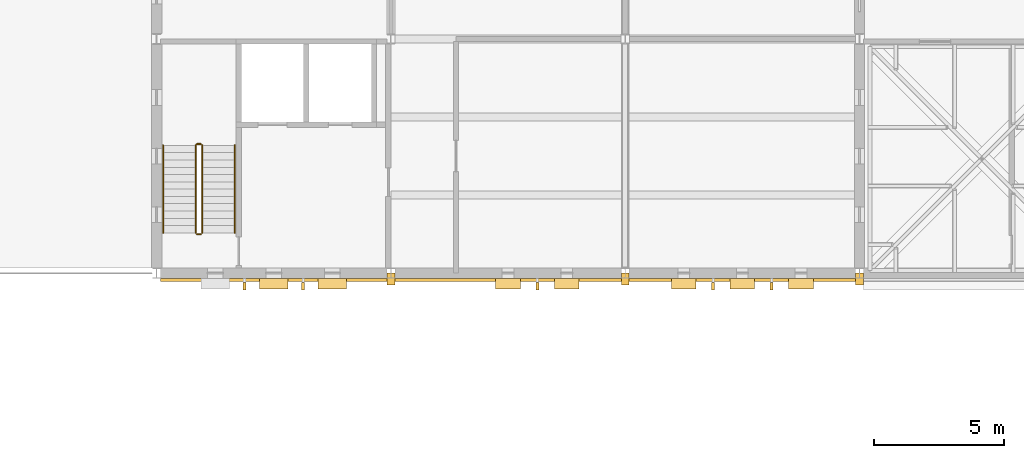
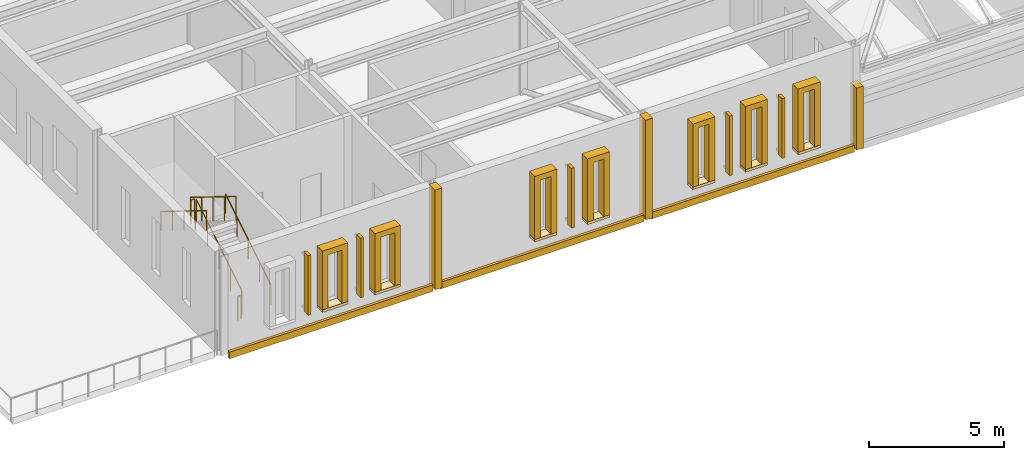
# One storey, part 130 of 149: 20 coverings, 6 railings, 5 shading devices.
"""IFC4 building model written with IfcOpenShell, lengths in metres."""

from ifc_helpers import new_model, si_unit, direction, frame, origin, origin_2d, place, context, subcontext, project, spatial, polyline, rectangle, circle, outline, extrude, material, layer, layer_set, type_object, element, save


model = new_model("IFC4")

# Units and contexts
model_context = context("Model", 3, precision=1e-05, world=origin(), true_north=direction((0.0, 1.0)))
body_context = subcontext(model_context, "Body", "Model", "MODEL_VIEW")
ifc_project = project(units=[si_unit("LENGTHUNIT", "METRE"), si_unit("AREAUNIT", "SQUARE_METRE"), si_unit("VOLUMEUNIT", "CUBIC_METRE"), si_unit("PLANEANGLEUNIT", "RADIAN"), si_unit("MASSUNIT", "GRAM", prefix="KILO")], contexts=[model_context])

# Site, building, storey
site_placement = place(None, origin())
site = spatial("IfcSite", under=ifc_project, at=site_placement, CompositionType="ELEMENT")
building_placement = place(site_placement, origin())
building = spatial("IfcBuilding", under=site, at=building_placement, Name="Kallimachos Central Library", CompositionType="ELEMENT")
storey_placement = place(building_placement, frame((0.0, 0.0, 9.89990234375)))
storey = spatial("IfcBuildingStorey", under=building, at=storey_placement, Name="L02", CompositionType="ELEMENT", Elevation=9.89990234375)

# Railings
ifc_material_1 = material(Name="Steel S355J2", Category="steel")
railing_type_1 = type_object("IfcRailingType", Name="Stair handrail 900", PredefinedType="HANDRAIL", material=ifc_material_1)
railing_1_placement = place(storey_placement, frame((77.5, 19.550048828125, 0.173095703125)))
element("IfcRailing", 1, at=railing_1_placement, inside=storey, type_object=railing_type_1, Name="L02 ST13 stair handrail 1", PredefinedType="HANDRAIL", context=body_context, shape_type="SweptSolid", body=[
    extrude(circle(Radius=0.02392578125, at=origin_2d()), frame((0.0, 0.0, 0.8759765625), z_axis=(0.0, 0.850606129759, 0.525803396734), x_axis=(-1.0, 0.0, 0.0)), (0.0, 0.0, 1.0), 3.949951171875),
    extrude(circle(Radius=0.02099609375, at=origin_2d()), origin(), (0.0, 0.0, 1.0), 0.851806640625),
    extrude(circle(Radius=0.02099609375, at=origin_2d()), frame((0.0, 0.83984375, 0.519287109375)), (0.0, 0.0, 1.0), 0.851806640625),
    extrude(circle(Radius=0.02099609375, at=origin_2d()), frame((0.0, 1.679931640625, 1.03857421875)), (0.0, 0.0, 1.0), 0.851806640625),
    extrude(circle(Radius=0.02099609375, at=origin_2d()), frame((0.0, 2.52001953125, 1.5576171875)), (0.0, 0.0, 1.0), 0.851806640625),
    extrude(circle(Radius=0.02099609375, at=origin_2d()), frame((0.0, 3.35986328125, 2.076904296875)), (0.0, 0.0, 1.0), 0.851806640625),
])
railing_2_placement = place(storey_placement, frame((74.75, 22.909912109375, 2.423095703125)))
element("IfcRailing", 2, at=railing_2_placement, inside=storey, type_object=railing_type_1, Name="L02 ST13 stair handrail 2", PredefinedType="HANDRAIL", context=body_context, shape_type="SweptSolid", body=[
    extrude(circle(Radius=0.02392578125, at=origin_2d()), frame((0.0, 0.0, 0.8759765625), z_axis=(0.0, -0.850606129759, 0.525803396734), x_axis=(1.0, 0.0, 0.0)), (0.0, 0.0, 1.0), 3.949951171875),
    extrude(circle(Radius=0.02099609375, at=origin_2d()), origin(), (0.0, 0.0, 1.0), 0.851806640625),
    extrude(circle(Radius=0.02099609375, at=origin_2d()), frame((0.0, -0.83984375, 0.519287109375)), (0.0, 0.0, 1.0), 0.851806640625),
    extrude(circle(Radius=0.02099609375, at=origin_2d()), frame((0.0, -1.679931640625, 1.03857421875)), (0.0, 0.0, 1.0), 0.851806640625),
    extrude(circle(Radius=0.02099609375, at=origin_2d()), frame((0.0, -2.52001953125, 1.5576171875)), (0.0, 0.0, 1.0), 0.851806640625),
    extrude(circle(Radius=0.02099609375, at=origin_2d()), frame((0.0, -3.35986328125, 2.076904296875)), (0.0, 0.0, 1.0), 0.851806640625),
])

# Coverings
ifc_material_2 = material(Name="Pentelic marble pilaster", Category="masonry")
ifc_layer_1 = layer(ifc_material_2, 0.25)
ifc_layer_set_1 = layer_set([ifc_layer_1], Name="Stone pilaster 250")
covering_type_1 = type_object("IfcCoveringType", Name="Stone pilaster 250", PredefinedType="CLADDING", material=ifc_layer_set_1)
for number, where, z_axis, x_axis, name in (
    (3, (83.5, 17.77490234375, 0.0), (0.0, 0.0, 1.0), (1.0, 0.0, 0.0), "Stone pilaster 250 -L02-018"),
    (4, (92.5, 17.77490234375, 0.0), (0.0, 0.0, 1.0), (1.0, 0.0, 0.0), "Stone pilaster 250 -L02-019"),
):
    element("IfcCovering", number, at=place(storey_placement, frame(where, z_axis=z_axis, x_axis=x_axis)), inside=storey, type_object=covering_type_1, Name=name, PredefinedType="CLADDING", context=body_context, shape_type="SweptSolid", body=[
        extrude(rectangle(XDim=0.300048828125, YDim=0.449951171875, at=origin_2d()), origin(), (0.0, 0.0, 1.0), 4.5),
    ])
covering_placement = place(storey_placement, frame((101.5, 17.77490234375, 0.0), z_axis=(0.0, 0.0, 1.0), x_axis=(1.0, 0.0, 0.0)))
element("IfcCovering", 5, at=covering_placement, inside=storey, type_object=covering_type_1, Name="Stone pilaster 250 -L02-020", PredefinedType="CLADDING", context=body_context, shape_type="SweptSolid", body=[
    extrude(rectangle(XDim=0.300048828125, YDim=0.449951171875, at=origin_2d()), origin(), (0.0, 0.0, 1.0), 2.800048828125),
])
ifc_material_3 = material(Name="Pentelic marble string course", Category="masonry")
ifc_layer_2 = layer(ifc_material_3, 0.1201171875)
ifc_layer_set_2 = layer_set([ifc_layer_2], Name="Stone string course 300")
covering_type_2 = type_object("IfcCoveringType", Name="Stone string course 300", PredefinedType="MOLDING", material=ifc_layer_set_2)
for number, where, z_axis, x_axis, name in (
    (6, (79.0, 17.739990234375, -0.14990234375), (0.0, 0.0, 1.0), (1.0, 0.0, 0.0), "Stone string course 300 -L02-018"),
    (7, (88.0, 17.739990234375, -0.14990234375), (0.0, 0.0, 1.0), (1.0, 0.0, 0.0), "Stone string course 300 -L02-019"),
    (8, (97.0, 17.739990234375, -0.14990234375), (0.0, 0.0, 1.0), (1.0, 0.0, 0.0), "Stone string course 300 -L02-020"),
):
    element("IfcCovering", number, at=place(storey_placement, frame(where, z_axis=z_axis, x_axis=x_axis)), inside=storey, type_object=covering_type_2, Name=name, PredefinedType="MOLDING", context=body_context, shape_type="SweptSolid", body=[
        extrude(rectangle(XDim=8.699951171875, YDim=0.1201171875, at=origin_2d()), origin(), (0.0, 0.0, 1.0), 0.300048828125),
    ])

# Shading devices
ifc_material_4 = material(Name="Pentelic marble fin", Category="masonry")
ifc_layer_3 = layer(ifc_material_4, 0.1201171875)
ifc_layer_set_3 = layer_set([ifc_layer_3], Name="Stone sun-shade fin 120")
shading_device_type = type_object("IfcShadingDeviceType", Name="Stone sun-shade fin 120", PredefinedType="USERDEFINED", material=ifc_layer_set_3)
for number, where, z_axis, x_axis, name in (
    (9, (77.875, 17.5, 0.89990234375), (0.0, 0.0, 1.0), (1.0, 0.0, 0.0), "Stone sun-shade fin 120 -L02-018"),
    (10, (80.125, 17.5, 0.89990234375), (0.0, 0.0, 1.0), (1.0, 0.0, 0.0), "Stone sun-shade fin 120 -L02-018"),
    (11, (89.125, 17.5, 0.89990234375), (0.0, 0.0, 1.0), (1.0, 0.0, 0.0), "Stone sun-shade fin 120 -L02-019"),
    (12, (95.875, 17.5, 0.89990234375), (0.0, 0.0, 1.0), (1.0, 0.0, 0.0), "Stone sun-shade fin 120 -L02-020"),
    (13, (98.125, 17.5, 0.89990234375), (0.0, 0.0, 1.0), (1.0, 0.0, 0.0), "Stone sun-shade fin 120 -L02-020"),
):
    element("IfcShadingDevice", number, at=place(storey_placement, frame(where, z_axis=z_axis, x_axis=x_axis)), inside=storey, type_object=shading_device_type, Name=name, ObjectType="FIN", PredefinedType="USERDEFINED", context=body_context, shape_type="SweptSolid", body=[
        extrude(rectangle(XDim=0.1201171875, YDim=0.300048828125, at=origin_2d()), origin(), (0.0, 0.0, 1.0), 2.699951171875),
    ])

# Coverings
ifc_material_5 = material(Name="Pentelic marble window sill", Category="masonry")
ifc_layer_4 = layer(ifc_material_5, 0.39990234375)
ifc_layer_set_4 = layer_set([ifc_layer_4], Name="Tower window sill block 400")
covering_type_3 = type_object("IfcCoveringType", Name="Tower window sill block 400", PredefinedType="MOLDING", material=ifc_layer_set_4)
for number, where, z_axis, x_axis, name in (
    (14, (79.0, 17.60009765625, 0.780029296875), (0.0, 0.0, 1.0), (1.0, 0.0, 0.0), "Tower window sill block"),
    (15, (81.25, 17.60009765625, 0.780029296875), (0.0, 0.0, 1.0), (1.0, 0.0, 0.0), "Tower window sill block"),
):
    element("IfcCovering", number, at=place(storey_placement, frame(where, z_axis=z_axis, x_axis=x_axis)), inside=storey, type_object=covering_type_3, Name=name, PredefinedType="MOLDING", context=body_context, shape_type="SweptSolid", body=[
        extrude(rectangle(XDim=1.10009765625, YDim=0.39990234375, at=origin_2d()), origin(), (0.0, 0.0, 1.0), 0.1201171875),
    ])
for number, where, z_axis, x_axis, name in (
    (16, (88.0, 17.60009765625, 0.780029296875), (0.0, 0.0, 1.0), (1.0, 0.0, 0.0), "Tower window sill block"),
    (17, (90.25, 17.60009765625, 0.780029296875), (0.0, 0.0, 1.0), (1.0, 0.0, 0.0), "Tower window sill block"),
    (18, (94.75, 17.60009765625, 0.780029296875), (0.0, 0.0, 1.0), (1.0, 0.0, 0.0), "Tower window sill block"),
    (19, (97.0, 17.60009765625, 0.780029296875), (0.0, 0.0, 1.0), (1.0, 0.0, 0.0), "Tower window sill block"),
    (20, (99.25, 17.60009765625, 0.780029296875), (0.0, 0.0, 1.0), (1.0, 0.0, 0.0), "Tower window sill block"),
):
    element("IfcCovering", number, at=place(storey_placement, frame(where, z_axis=z_axis, x_axis=x_axis)), inside=storey, type_object=covering_type_3, Name=name, PredefinedType="MOLDING", context=body_context, shape_type="SweptSolid", body=[
        extrude(rectangle(XDim=0.949951171875, YDim=0.39990234375, at=origin_2d()), origin(), (0.0, 0.0, 1.0), 0.1201171875),
    ])
ifc_material_6 = material(Name="Pentelic marble window surround", Category="masonry")
ifc_layer_5 = layer(ifc_material_6, 0.39990234375)
ifc_layer_set_5 = layer_set([ifc_layer_5], Name="Tower window surround 400")
covering_type_4 = type_object("IfcCoveringType", Name="Tower window surround 400", PredefinedType="MOLDING", material=ifc_layer_set_5)
for number, where, z_axis, x_axis, name in (
    (21, (78.699951171875, 17.39990234375, 0.900146484375), (0.0, -1.0, 0.0), (0.0, 0.0, 1.0), "Tower window surround -WIN-L02-002"),
    (22, (80.949951171875, 17.39990234375, 0.900146484375), (0.0, -1.0, 0.0), (0.0, 0.0, 1.0), "Tower window surround -WIN-L02-003"),
):
    element("IfcCovering", number, at=place(storey_placement, frame(where, z_axis=z_axis, x_axis=x_axis)), inside=storey, type_object=covering_type_4, Name=name, PredefinedType="MOLDING", context=body_context, shape_type="SweptSolid", body=[
        extrude(outline(polyline([(0.0, 0.0), (2.39990234375, 0.0), (2.39990234375, -0.60009765625), (0.0, -0.60009765625), (0.0, -0.85009765625), (2.64990234375, -0.85009765625), (2.64990234375, 0.25), (0.0, 0.25), (0.0, 0.0)])), origin(), (0.0, 0.0, -1.0), 0.39990234375),
    ])
for number, where, z_axis, x_axis, name in (
    (23, (87.77490234375, 17.39990234375, 0.900146484375), (0.0, -1.0, 0.0), (0.0, 0.0, 1.0), "Tower window surround -WIN-L02-004"),
    (24, (90.02490234375, 17.39990234375, 0.900146484375), (0.0, -1.0, 0.0), (0.0, 0.0, 1.0), "Tower window surround -WIN-L02-005"),
    (25, (94.52490234375, 17.39990234375, 0.900146484375), (0.0, -1.0, 0.0), (0.0, 0.0, 1.0), "Tower window surround -WIN-L02-006"),
    (26, (96.77490234375, 17.39990234375, 0.900146484375), (0.0, -1.0, 0.0), (0.0, 0.0, 1.0), "Tower window surround -WIN-L02-007"),
    (27, (99.02490234375, 17.39990234375, 0.900146484375), (0.0, -1.0, 0.0), (0.0, 0.0, 1.0), "Tower window surround -WIN-L02-008"),
):
    element("IfcCovering", number, at=place(storey_placement, frame(where, z_axis=z_axis, x_axis=x_axis)), inside=storey, type_object=covering_type_4, Name=name, PredefinedType="MOLDING", context=body_context, shape_type="SweptSolid", body=[
        extrude(outline(polyline([(0.0, 0.0), (2.599853515625, 0.0), (2.599853515625, -0.4501953125), (0.0, -0.4501953125), (0.0, -0.7001953125), (2.849853515625, -0.7001953125), (2.849853515625, 0.25), (0.0, 0.25), (0.0, 0.0)])), origin(), (0.0, 0.0, -1.0), 0.39990234375),
    ])

# Railings
ifc_material_7 = material(Name="Steel S355J2", Category="steel")
railing_type_2 = type_object("IfcRailingType", Name="Wrought-iron guard 1100", PredefinedType="GUARDRAIL", material=ifc_material_7)
railing_3_placement = place(storey_placement, frame((76.25, 19.550048828125, 0.173095703125)))
element("IfcRailing", 28, at=railing_3_placement, inside=storey, type_object=railing_type_2, Name="L02 ST13 stair guard 1", PredefinedType="GUARDRAIL", context=body_context, shape_type="SweptSolid", body=[
    extrude(circle(Radius=0.02392578125, at=origin_2d()), frame((0.0, 0.0, 1.076171875), z_axis=(0.0, 0.850606129759, 0.525803396734), x_axis=(-1.0, 0.0, 0.0)), (0.0, 0.0, 1.0), 3.949951171875),
    extrude(circle(Radius=0.02099609375, at=origin_2d()), origin(), (0.0, 0.0, 1.0), 1.052001953125),
    extrude(circle(Radius=0.02099609375, at=origin_2d()), frame((0.0, 0.83984375, 0.519287109375)), (0.0, 0.0, 1.0), 1.052001953125),
    extrude(circle(Radius=0.02099609375, at=origin_2d()), frame((0.0, 1.679931640625, 1.03857421875)), (0.0, 0.0, 1.0), 1.052001953125),
    extrude(circle(Radius=0.02099609375, at=origin_2d()), frame((0.0, 2.52001953125, 1.5576171875)), (0.0, 0.0, 1.0), 1.052001953125),
    extrude(circle(Radius=0.02099609375, at=origin_2d()), frame((0.0, 3.35986328125, 2.076904296875)), (0.0, 0.0, 1.0), 1.052001953125),
])
railing_4_placement = place(storey_placement, frame((76.199951171875, 22.9599609375, 2.25)))
element("IfcRailing", 29, at=railing_4_placement, inside=storey, type_object=railing_type_2, Name="L02 ST13 stair guard 2", PredefinedType="GUARDRAIL", context=body_context, shape_type="SweptSolid", body=[
    extrude(circle(Radius=0.02392578125, at=origin_2d()), frame((0.0, 0.0, 1.076171875), z_axis=(-1.0, 0.0, 0.0), x_axis=(0.0, -1.0, 0.0)), (0.0, 0.0, 1.0), 0.14990234375),
    extrude(circle(Radius=0.02099609375, at=origin_2d()), origin(), (0.0, 0.0, 1.0), 1.052001953125),
    extrude(circle(Radius=0.02099609375, at=origin_2d()), frame((-0.14990234375, 0.0, 0.0)), (0.0, 0.0, 1.0), 1.052001953125),
])
railing_5_placement = place(storey_placement, frame((76.0, 22.909912109375, 2.423095703125)))
element("IfcRailing", 30, at=railing_5_placement, inside=storey, type_object=railing_type_2, Name="L02 ST13 stair guard 3", PredefinedType="GUARDRAIL", context=body_context, shape_type="SweptSolid", body=[
    extrude(circle(Radius=0.02392578125, at=origin_2d()), frame((0.0, 0.0, 1.076171875), z_axis=(0.0, -0.850606129759, 0.525803396734), x_axis=(1.0, 0.0, 0.0)), (0.0, 0.0, 1.0), 3.949951171875),
    extrude(circle(Radius=0.02099609375, at=origin_2d()), origin(), (0.0, 0.0, 1.0), 1.052001953125),
    extrude(circle(Radius=0.02099609375, at=origin_2d()), frame((0.0, -0.83984375, 0.519287109375)), (0.0, 0.0, 1.0), 1.052001953125),
    extrude(circle(Radius=0.02099609375, at=origin_2d()), frame((0.0, -1.679931640625, 1.03857421875)), (0.0, 0.0, 1.0), 1.052001953125),
    extrude(circle(Radius=0.02099609375, at=origin_2d()), frame((0.0, -2.52001953125, 1.5576171875)), (0.0, 0.0, 1.0), 1.052001953125),
    extrude(circle(Radius=0.02099609375, at=origin_2d()), frame((0.0, -3.35986328125, 2.076904296875)), (0.0, 0.0, 1.0), 1.052001953125),
])
railing_6_placement = place(storey_placement, frame((76.199951171875, 19.5, 0.0)))
element("IfcRailing", 31, at=railing_6_placement, inside=storey, type_object=railing_type_2, Name="L02 ST13 stair guard 4", PredefinedType="GUARDRAIL", context=body_context, shape_type="SweptSolid", body=[
    extrude(circle(Radius=0.02392578125, at=origin_2d()), frame((0.0, 0.0, 1.076171875), z_axis=(-1.0, 0.0, 0.0), x_axis=(0.0, -1.0, 0.0)), (0.0, 0.0, 1.0), 0.14990234375),
    extrude(circle(Radius=0.02099609375, at=origin_2d()), origin(), (0.0, 0.0, 1.0), 1.052001953125),
    extrude(circle(Radius=0.02099609375, at=origin_2d()), frame((-0.14990234375, 0.0, 0.0)), (0.0, 0.0, 1.0), 1.052001953125),
])

save(model, "model.ifc")
